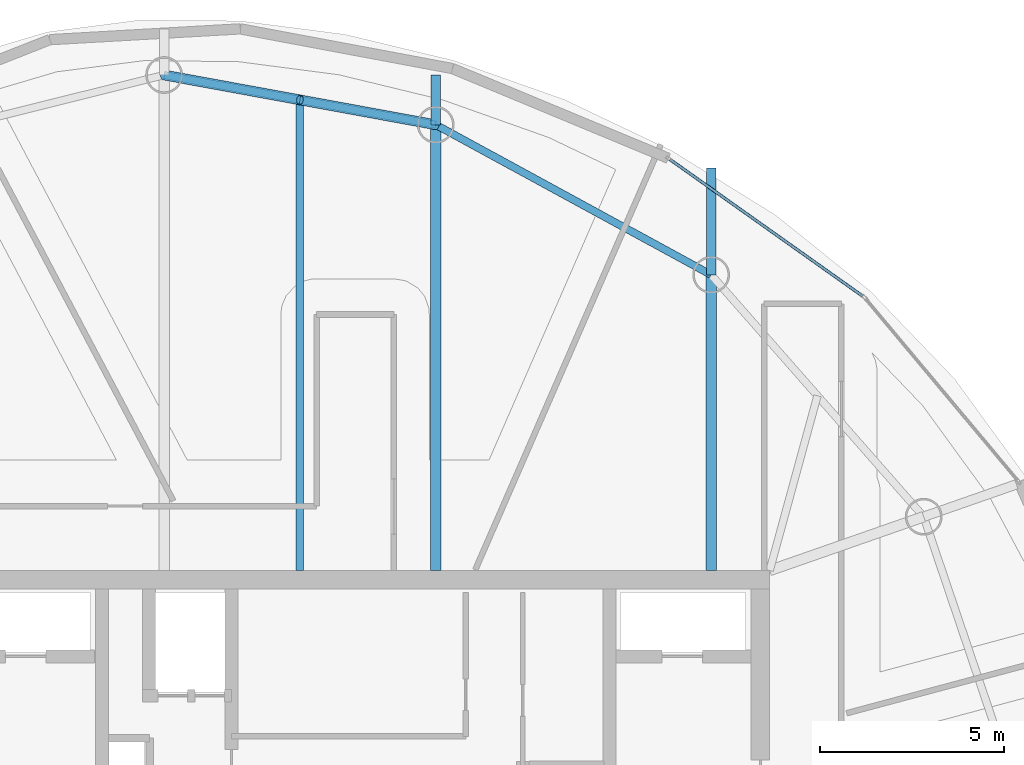
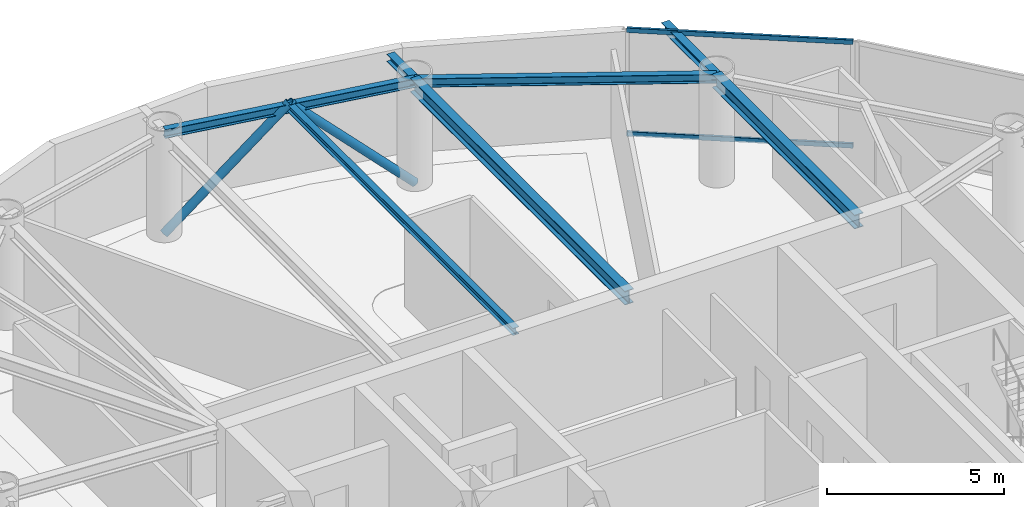
# One storey, part 9 of 17: 7 beams, 4 members, 1 element without a shape of its own.
"""IFC4 building model written with IfcOpenShell, lengths in metres."""

from ifc_helpers import new_model, si_unit, direction, frame, origin, origin_2d, place, context, subcontext, project, spatial, hollow_rectangle, hollow_circle, i_section, extrude, material, layer, layer_set, material_profile, profile_set, type_object, element, aggregate, save


model = new_model("IFC4")

# Units and contexts
model_context = context("Model", 3, precision=1e-05, world=origin(), true_north=direction((0.0, 1.0)))
body_context = subcontext(model_context, "Body", "Model", "MODEL_VIEW")
ifc_project = project(units=[si_unit("LENGTHUNIT", "METRE"), si_unit("AREAUNIT", "SQUARE_METRE"), si_unit("VOLUMEUNIT", "CUBIC_METRE"), si_unit("PLANEANGLEUNIT", "RADIAN"), si_unit("MASSUNIT", "GRAM", prefix="KILO")], contexts=[model_context])

# Site, building, storey
site_placement = place(None, origin())
site = spatial("IfcSite", under=ifc_project, at=site_placement, CompositionType="ELEMENT")
building_placement = place(site_placement, origin())
building = spatial("IfcBuilding", under=site, at=building_placement, Name="Bramvorn Convention Spire", CompositionType="ELEMENT")
storey_placement = place(building_placement, frame((0.0, 0.0, 265.14990234375)))
storey = spatial("IfcBuildingStorey", under=building, at=storey_placement, Name="L67", CompositionType="ELEMENT", Elevation=265.14990234375)

# Beams
ifc_material_1 = material(Name="Steel CSA G40.21 Grade 350 (350W)", Category="steel")
ifc_material_profile_1 = material_profile(ifc_material_1, i_section(OverallWidth=0.201904296875, OverallDepth=0.2470703125, WebThickness=0.00732421875, FlangeThickness=0.010986328125, FilletRadius=0.011962890625, at=origin_2d()))
ifc_profile_set_1 = profile_set([ifc_material_profile_1], Name="Steel CSA G40.21 Grade 350 (350W) - W250X49")
beam_type_1 = type_object("IfcBeamType", Name="BM-W250X49", PredefinedType="JOIST", material=ifc_profile_set_1)
beam_1_placement = place(storey_placement, frame((36.498046875, 33.449951171875, 3.501708984375), z_axis=(0.0, 1.0, 0.0), x_axis=(-1.0, 0.0, 0.0)))
element("IfcBeam", 1, at=beam_1_placement, inside=storey, type_object=beam_type_1, Name="L67 composite floor joist 07", PredefinedType="JOIST", context=body_context, shape_type="SweptSolid", body=[
    extrude(i_section(OverallWidth=0.201904296875, OverallDepth=0.2470703125, WebThickness=0.00732421875, FlangeThickness=0.010986328125, FilletRadius=0.011962890625, at=origin_2d()), origin(), (0.0, 0.0, 1.0), 12.77587890625),
])
ifc_material_profile_2 = material_profile(ifc_material_1, i_section(OverallWidth=0.25390625, OverallDepth=0.2529296875, WebThickness=0.008544921875, FlangeThickness=0.01416015625, FilletRadius=0.011962890625, at=origin_2d()))
ifc_profile_set_2 = profile_set([ifc_material_profile_2], Name="Steel CSA G40.21 Grade 350 (350W) - W250X73")
beam_type_2 = type_object("IfcBeamType", Name="BM-W250X73", PredefinedType="BEAM", material=ifc_profile_set_2)
beam_2_placement = place(storey_placement, frame((47.662353515625, 41.476806640625, 3.49853515625), z_axis=(0.0, 1.0, 0.0), x_axis=(-1.0, 0.0, 0.0)))
element("IfcBeam", 2, at=beam_2_placement, inside=storey, type_object=beam_type_2, Name="L67 slab-edge cantilever tip beam MC06", PredefinedType="BEAM", context=body_context, shape_type="SweptSolid", body=[
    extrude(i_section(OverallWidth=0.25390625, OverallDepth=0.2529296875, WebThickness=0.008544921875, FlangeThickness=0.01416015625, FilletRadius=0.011962890625, at=origin_2d()), origin(), (0.0, 0.0, 1.0), 2.904296875),
])
beam_3_placement = place(storey_placement, frame((40.1845703125, 45.55078125, 3.49853515625), z_axis=(0.0, 1.0, 0.0), x_axis=(-1.0, 0.0, 0.0)))
element("IfcBeam", 3, at=beam_3_placement, inside=storey, type_object=beam_type_2, Name="L67 slab-edge cantilever tip beam MC07", PredefinedType="BEAM", context=body_context, shape_type="SweptSolid", body=[
    extrude(i_section(OverallWidth=0.25390625, OverallDepth=0.2529296875, WebThickness=0.008544921875, FlangeThickness=0.01416015625, FilletRadius=0.011962890625, at=origin_2d()), origin(), (0.0, 0.0, 1.0), 1.3525390625),
])
ifc_material_profile_3 = material_profile(ifc_material_1, i_section(OverallWidth=0.202880859375, OverallDepth=0.302978515625, WebThickness=0.007568359375, FlangeThickness=0.01318359375, FilletRadius=0.013916015625, at=origin_2d()))
ifc_profile_set_3 = profile_set([ifc_material_profile_3], Name="Steel CSA G40.21 Grade 350 (350W) - W310X60")
beam_type_3 = type_object("IfcBeamType", Name="BM-W310X60", PredefinedType="JOIST", material=ifc_profile_set_3)
beam_4_placement = place(storey_placement, frame((47.662353515625, 41.476806640625, 3.4736328125), z_axis=(-0.878133224771, 0.478416178189, 0.0), x_axis=(-0.478416178189, -0.878133224771, 0.0)))
element("IfcBeam", 4, at=beam_4_placement, inside=storey, type_object=beam_type_3, Name="L67 mega-column ring beam 06", PredefinedType="JOIST", context=body_context, shape_type="SweptSolid", body=[
    extrude(i_section(OverallWidth=0.202880859375, OverallDepth=0.302978515625, WebThickness=0.007568359375, FlangeThickness=0.01318359375, FilletRadius=0.013916015625, at=origin_2d()), origin(), (0.0, 0.0, 1.0), 8.515625),
])
beam_5_placement = place(storey_placement, frame((40.1845703125, 45.55078125, 3.4736328125), z_axis=(-0.983645049461, 0.180117785547, 0.0), x_axis=(-0.180117785547, -0.983645049461, 0.0)))
element("IfcBeam", 5, at=beam_5_placement, inside=storey, type_object=beam_type_3, Name="L67 mega-column ring beam 07", PredefinedType="JOIST", context=body_context, shape_type="SweptSolid", body=[
    extrude(i_section(OverallWidth=0.202880859375, OverallDepth=0.302978515625, WebThickness=0.007568359375, FlangeThickness=0.01318359375, FilletRadius=0.013916015625, at=origin_2d()), origin(), (0.0, 0.0, 1.0), 7.49560546875),
])
ifc_material_profile_4 = material_profile(ifc_material_1, i_section(OverallWidth=0.283935546875, OverallDepth=0.47607421875, WebThickness=0.014892578125, FlangeThickness=0.02392578125, FilletRadius=0.01806640625, at=origin_2d()))
ifc_profile_set_4 = profile_set([ifc_material_profile_4], Name="Steel CSA G40.21 Grade 350 (350W) - W460X158")
beam_type_4 = type_object("IfcBeamType", Name="BM-W460X158", PredefinedType="SPANDREL", material=ifc_profile_set_4)
beam_6_placement = place(storey_placement, frame((47.662353515625, 33.449951171875, 3.38720703125), z_axis=(0.0, 1.0, 0.0), x_axis=(-1.0, 0.0, 0.0)))
element("IfcBeam", 6, at=beam_6_placement, inside=storey, type_object=beam_type_4, Name="L67 radial floor girder MC06", PredefinedType="SPANDREL", context=body_context, shape_type="SweptSolid", body=[
    extrude(i_section(OverallWidth=0.283935546875, OverallDepth=0.47607421875, WebThickness=0.014892578125, FlangeThickness=0.02392578125, FilletRadius=0.01806640625, at=origin_2d()), origin(), (0.0, 0.0, 1.0), 8.02685546875),
])
beam_7_placement = place(storey_placement, frame((40.1845703125, 33.449951171875, 3.38720703125), z_axis=(0.0, 1.0, 0.0), x_axis=(-1.0, 0.0, 0.0)))
element("IfcBeam", 7, at=beam_7_placement, inside=storey, type_object=beam_type_4, Name="L67 radial floor girder MC07", PredefinedType="SPANDREL", context=body_context, shape_type="SweptSolid", body=[
    extrude(i_section(OverallWidth=0.283935546875, OverallDepth=0.47607421875, WebThickness=0.014892578125, FlangeThickness=0.02392578125, FilletRadius=0.01806640625, at=origin_2d()), origin(), (0.0, 0.0, 1.0), 12.100830078125),
])

# Curtain wall, members
ifc_material_2 = material(Name="Anodised Bronze Unitised Curtain Wall", Category="aluminium")
ifc_layer = layer(ifc_material_2, 0.179931640625)
ifc_layer_set = layer_set([ifc_layer], Name="Anodised Bronze Unitised Curtain Wall - CW-OFF-FRIT")
curtain_wall_type = type_object("IfcCurtainWallType", Name="CW-OFF-FRIT", PredefinedType="USERDEFINED", material=ifc_layer_set)
curtain_wall_placement = place(storey_placement, origin())
curtain_wall = element("IfcCurtainWall", 8, at=curtain_wall_placement, inside=storey, type_object=curtain_wall_type, Name="L67 fritted glass curtain wall 08", ObjectType="UNITISED CURTAIN WALL", PredefinedType="USERDEFINED")
ifc_material_3 = material(Name="Anodised Bronze Aluminium 6063-T6", Category="aluminium")
ifc_material_profile_5 = material_profile(ifc_material_3, hollow_rectangle(XDim=0.080078125, YDim=0.159912109375, WallThickness=0.00390625, InnerFilletRadius=0.0009765625, OuterFilletRadius=0.00390625, at=origin_2d()))
ifc_profile_set_5 = profile_set([ifc_material_profile_5], Name="Anodised Bronze Aluminium 6063-T6 - CWT80X160")
member_type_1 = type_object("IfcMemberType", Name="CW-TRN-150", PredefinedType="USERDEFINED", material=ifc_profile_set_5)
member_1_placement = place(storey_placement, frame((46.546875, 44.60595703125, 0.030029296875), z_axis=(0.815703792071, -0.578469812178, 0.0), x_axis=(0.578469812178, 0.815703792071, 0.0)))
member_1 = element("IfcMember", 9, at=member_1_placement, type_object=member_type_1, Name="CW3 transom 1.1", ObjectType="TRANSOM", PredefinedType="USERDEFINED", context=body_context, shape_type="SweptSolid", body=[
    extrude(hollow_rectangle(XDim=0.080078125, YDim=0.159912109375, WallThickness=0.00390625, InnerFilletRadius=0.0009765625, OuterFilletRadius=0.00390625, at=origin_2d()), origin(), (0.0, 0.0, 1.0), 6.40625),
])
member_2_placement = place(storey_placement, frame((46.546875, 44.60595703125, 3.59521484375), z_axis=(0.815703792071, -0.578469812178, 0.0), x_axis=(0.578469812178, 0.815703792071, 0.0)))
member_2 = element("IfcMember", 10, at=member_2_placement, type_object=member_type_1, Name="CW3 transom 1.2", ObjectType="TRANSOM", PredefinedType="USERDEFINED", context=body_context, shape_type="SweptSolid", body=[
    extrude(hollow_rectangle(XDim=0.080078125, YDim=0.159912109375, WallThickness=0.00390625, InnerFilletRadius=0.0009765625, OuterFilletRadius=0.00390625, at=origin_2d()), origin(), (0.0, 0.0, 1.0), 6.40625),
])
aggregate(curtain_wall, [member_1, member_2])

# Members
ifc_material_profile_6 = material_profile(ifc_material_1, hollow_circle(Radius=0.136474609375, WallThickness=0.0126953125, at=origin_2d()))
ifc_profile_set_6 = profile_set([ifc_material_profile_6], Name="Steel CSA G40.21 Grade 350 (350W) - CHS273X13")
member_type_2 = type_object("IfcMemberType", Name="MBR-CHS273X13", PredefinedType="BRACE", material=ifc_profile_set_6)
for number, where, z_axis, x_axis, name in (
    (11, (40.1845703125, 45.55078125, 0.0), (-0.707030558805, 0.129466191728, 0.69523110842), (-0.180117785547, -0.983645049461, 0.0), "L67 perimeter Gothic lancet brace 7A"),
    (12, (32.8115234375, 46.90087890625, 0.0), (0.707030558805, -0.129466191728, 0.69523110842), (0.180117785547, 0.983645049461, 0.0), "L67 perimeter Gothic lancet brace 7B"),
):
    element("IfcMember", number, at=place(storey_placement, frame(where, z_axis=z_axis, x_axis=x_axis)), inside=storey, type_object=member_type_2, Name=name, PredefinedType="BRACE", context=body_context, shape_type="SweptSolid", body=[
        extrude(hollow_circle(Radius=0.136474609375, WallThickness=0.0126953125, at=origin_2d()), origin(), (0.0, 0.0, 1.0), 5.214111328125),
    ])

save(model, "model.ifc")
